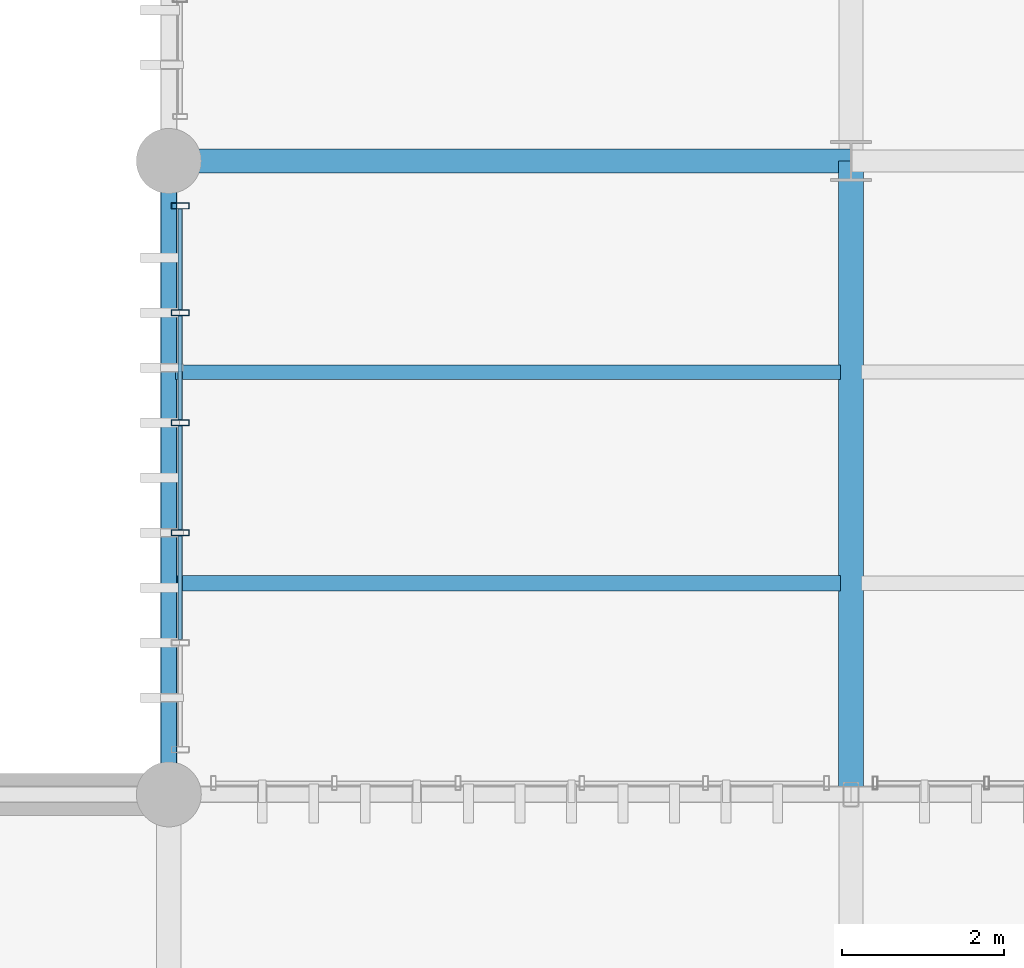
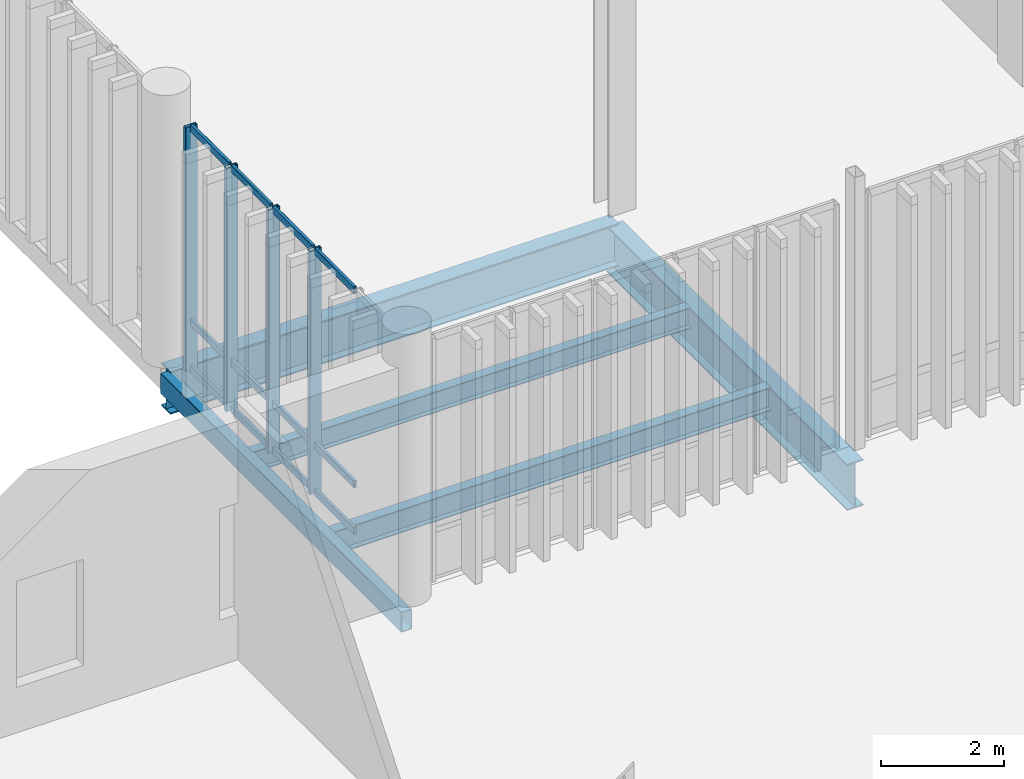
# One storey, part 57 of 112: 16 members, 5 beams, 1 element without a shape of its own.
"""IFC4 building model written with IfcOpenShell, lengths in metres."""

from ifc_helpers import new_model, si_unit, direction, frame, origin_with_axes, origin_2d_with_axis, place, context, subcontext, project, spatial, hollow_rectangle, i_section, extrude, material, material_profile, profile_set, type_object, element, aggregate, save


model = new_model("IFC4")

# Units and contexts
model_context = context("Model", 3, precision=1e-05, world=origin_with_axes(), true_north=direction((0.0, 1.0)))
body_context = subcontext(model_context, "Body", "Model", "MODEL_VIEW")
ifc_project = project(units=[si_unit("LENGTHUNIT", "METRE"), si_unit("AREAUNIT", "SQUARE_METRE"), si_unit("VOLUMEUNIT", "CUBIC_METRE"), si_unit("PLANEANGLEUNIT", "RADIAN"), si_unit("MASSUNIT", "GRAM", prefix="KILO"), si_unit("THERMODYNAMICTEMPERATUREUNIT", "KELVIN")], contexts=[model_context])

# Site, building, storey
site_placement = place(None, origin_with_axes())
site = spatial("IfcSite", under=ifc_project, at=site_placement, CompositionType="ELEMENT")
building_placement = place(site_placement, origin_with_axes())
building = spatial("IfcBuilding", under=site, at=building_placement, Name="Montbau Bow Law Courts", CompositionType="ELEMENT")
storey_placement = place(building_placement, origin_with_axes())
storey = spatial("IfcBuildingStorey", under=building, at=storey_placement, Name="L00", CompositionType="ELEMENT", Elevation=0.0)

# Beams
ifc_material_1 = material(Name="Steel CSA G40.21 Grade 350W (350 MPa)", Category="steel")
ifc_material_profile_1 = material_profile(ifc_material_1, i_section(OverallWidth=0.306, OverallDepth=0.919, WebThickness=0.0173, FlangeThickness=0.0279, at=origin_2d_with_axis()), Name="W920X253", Category="Main", Priority=0)
ifc_profile_set_1 = profile_set([ifc_material_profile_1], Name="Steel CSA G40.21 Grade 350W (350 MPa)")
beam_type_1 = type_object("IfcBeamType", Name="B-FLR-01", PredefinedType="BEAM", material=ifc_profile_set_1)
beam_1_placement = place(None, frame((147.0, 61.8, -0.8), z_axis=(0.0, 1.0, 0.0), x_axis=(-1.0, 0.0, 0.0)))
element("IfcBeam", 1, at=beam_1_placement, inside=storey, type_object=beam_type_1, Name="BM-L00-S0438:bm2_0441", PredefinedType="BEAM", context=body_context, shape_type="SweptSolid", body=[
    extrude(i_section(OverallWidth=0.306, OverallDepth=0.919, WebThickness=0.0173, FlangeThickness=0.0279, at=origin_2d_with_axis()), origin_with_axes(), (0.0, 0.0, 1.0), 7.8),
])
ifc_material_profile_2 = material_profile(ifc_material_1, i_section(OverallWidth=0.293, OverallDepth=0.846, WebThickness=0.0154, FlangeThickness=0.0244, at=origin_2d_with_axis()), Name="W840X210", Category="Main", Priority=0)
ifc_profile_set_2 = profile_set([ifc_material_profile_2], Name="Steel CSA G40.21 Grade 350W (350 MPa)")
beam_type_2 = type_object("IfcBeamType", Name="B-FLR-02", PredefinedType="BEAM", material=ifc_profile_set_2)
beam_2_placement = place(None, frame((138.6, 69.6, -0.683), z_axis=(1.0, 0.0, 0.0), x_axis=(0.0, 1.0, 0.0)))
element("IfcBeam", 2, at=beam_2_placement, inside=storey, type_object=beam_type_2, Name="BM-L00-S0403:bm2_0406", PredefinedType="BEAM", context=body_context, shape_type="SweptSolid", body=[
    extrude(i_section(OverallWidth=0.293, OverallDepth=0.846, WebThickness=0.0154, FlangeThickness=0.0244, at=origin_2d_with_axis()), origin_with_axes(), (0.0, 0.0, 1.0), 8.4),
])
ifc_material_profile_3 = material_profile(ifc_material_1, i_section(OverallWidth=0.191, OverallDepth=0.46, WebThickness=0.0099, FlangeThickness=0.016, at=origin_2d_with_axis()), Name="W460X82", Category="Main", Priority=0)
ifc_profile_set_3 = profile_set([ifc_material_profile_3], Name="Steel CSA G40.21 Grade 350W (350 MPa)")
beam_type_3 = type_object("IfcBeamType", Name="B-JST-01", PredefinedType="JOIST", material=ifc_profile_set_3)
beam_3_placement = place(None, frame((138.68, 64.4, -0.57), z_axis=(1.0, 0.0, 0.0), x_axis=(0.0, 1.0, 0.0)))
element("IfcBeam", 3, at=beam_3_placement, inside=storey, type_object=beam_type_3, Name="JST-L00-S0180:jst2_0180", PredefinedType="JOIST", context=body_context, shape_type="SweptSolid", body=[
    extrude(i_section(OverallWidth=0.191, OverallDepth=0.46, WebThickness=0.0099, FlangeThickness=0.016, at=origin_2d_with_axis()), origin_with_axes(), (0.0, 0.0, 1.0), 8.191),
])
ifc_material_profile_4 = material_profile(ifc_material_1, i_section(OverallWidth=0.179, OverallDepth=0.41, WebThickness=0.0088, FlangeThickness=0.0144, at=origin_2d_with_axis()), Name="W410X67", Category="Main", Priority=0)
ifc_profile_set_4 = profile_set([ifc_material_profile_4], Name="Steel CSA G40.21 Grade 350W (350 MPa)")
beam_type_4 = type_object("IfcBeamType", Name="B-JST-02", PredefinedType="JOIST", material=ifc_profile_set_4)
beam_4_placement = place(None, frame((138.68, 67.0, -0.545), z_axis=(1.0, 0.0, 0.0), x_axis=(0.0, 1.0, 0.0)))
element("IfcBeam", 4, at=beam_4_placement, inside=storey, type_object=beam_type_4, Name="JST-L00-S0181:jst2_0181", PredefinedType="JOIST", context=body_context, shape_type="SweptSolid", body=[
    extrude(i_section(OverallWidth=0.179, OverallDepth=0.41, WebThickness=0.0088, FlangeThickness=0.0144, at=origin_2d_with_axis()), origin_with_axes(), (0.0, 0.0, 1.0), 8.191),
])
ifc_material_2 = material(Name="Steel CSA G40.21 Grade 350WT (350 MPa)", Category="steel")
ifc_material_profile_5 = material_profile(ifc_material_2, hollow_rectangle(XDim=0.203, YDim=0.406, WallThickness=0.0127, InnerFilletRadius=0.0254, OuterFilletRadius=0.0127, at=origin_2d_with_axis()), Name="HSS406X203X13", Category="Main", Priority=0)
ifc_profile_set_5 = profile_set([ifc_material_profile_5], Name="Steel CSA G40.21 Grade 350WT (350 MPa)")
beam_type_5 = type_object("IfcBeamType", Name="B-SPN-01", PredefinedType="SPANDREL", material=ifc_profile_set_5)
beam_5_placement = place(None, frame((138.6, 61.8, -0.543), z_axis=(0.0, 1.0, 0.0), x_axis=(-1.0, 0.0, 0.0)))
element("IfcBeam", 5, at=beam_5_placement, inside=storey, type_object=beam_type_5, Name="SPN-L00-S0431:bm2_0434", PredefinedType="SPANDREL", context=body_context, shape_type="SweptSolid", body=[
    extrude(hollow_rectangle(XDim=0.203, YDim=0.406, WallThickness=0.0127, InnerFilletRadius=0.0254, OuterFilletRadius=0.0127, at=origin_2d_with_axis()), origin_with_axes(), (0.0, 0.0, 1.0), 7.8),
])

# Curtain wall, members
ifc_material_3 = material(Name="Thermally Broken Extruded Aluminium AA 6063-T6", Category="aluminium")
curtain_wall_type = type_object("IfcCurtainWallType", Name="CW-SLT-01", PredefinedType="NOTDEFINED", material=ifc_material_3)
curtain_wall_placement = place(None, frame((138.74, 62.315, 0.0), z_axis=(0.0, 0.0, 1.0), x_axis=(1.0, 0.0, 0.0)))
curtain_wall = element("IfcCurtainWall", 6, at=curtain_wall_placement, inside=storey, type_object=curtain_wall_type, Name="CW-L00-267:cw_0267", PredefinedType="NOTDEFINED")
ifc_material_profile_6 = material_profile(ifc_material_3, hollow_rectangle(XDim=0.075, YDim=0.22, WallThickness=0.005, InnerFilletRadius=0.01, OuterFilletRadius=0.005, at=origin_2d_with_axis()), Name="CWM-220X75", Category="Main", Priority=0)
ifc_profile_set_6 = profile_set([ifc_material_profile_6], Name="Thermally Broken Extruded Aluminium AA 6063-T6")
member_type_1 = type_object("IfcMemberType", Name="M-MUL-01", PredefinedType="MULLION", material=ifc_profile_set_6)
member_1_placement = place(None, frame((138.74, 65.023, 0.0), z_axis=(0.0, 0.0, 1.0), x_axis=(0.0, 1.0, 0.0)))
member_1 = element("IfcMember", 7, at=member_1_placement, type_object=member_type_1, Name="CW-L00-267-M03:cw_0267_M03", PredefinedType="MULLION", context=body_context, shape_type="SweptSolid", body=[
    extrude(hollow_rectangle(XDim=0.075, YDim=0.22, WallThickness=0.005, InnerFilletRadius=0.01, OuterFilletRadius=0.005, at=origin_2d_with_axis()), origin_with_axes(), (0.0, 0.0, 1.0), 4.82),
])
member_2_placement = place(None, frame((138.74, 66.377, 0.0), z_axis=(0.0, 0.0, 1.0), x_axis=(0.0, 1.0, 0.0)))
member_2 = element("IfcMember", 8, at=member_2_placement, type_object=member_type_1, Name="CW-L00-267-M04:cw_0267_M04", PredefinedType="MULLION", context=body_context, shape_type="SweptSolid", body=[
    extrude(hollow_rectangle(XDim=0.075, YDim=0.22, WallThickness=0.005, InnerFilletRadius=0.01, OuterFilletRadius=0.005, at=origin_2d_with_axis()), origin_with_axes(), (0.0, 0.0, 1.0), 4.82),
])
member_3_placement = place(None, frame((138.74, 67.731, 0.0), z_axis=(0.0, 0.0, 1.0), x_axis=(0.0, 1.0, 0.0)))
member_3 = element("IfcMember", 9, at=member_3_placement, type_object=member_type_1, Name="CW-L00-267-M05:cw_0267_M05", PredefinedType="MULLION", context=body_context, shape_type="SweptSolid", body=[
    extrude(hollow_rectangle(XDim=0.075, YDim=0.22, WallThickness=0.005, InnerFilletRadius=0.01, OuterFilletRadius=0.005, at=origin_2d_with_axis()), origin_with_axes(), (0.0, 0.0, 1.0), 4.82),
])
member_4_placement = place(None, frame((138.74, 69.047, 0.0), z_axis=(0.0, 0.0, 1.0), x_axis=(0.0, 1.0, 0.0)))
member_4 = element("IfcMember", 10, at=member_4_placement, type_object=member_type_1, Name="CW-L00-267-M06:cw_0267_M06", PredefinedType="MULLION", context=body_context, shape_type="SweptSolid", body=[
    extrude(hollow_rectangle(XDim=0.075, YDim=0.22, WallThickness=0.005, InnerFilletRadius=0.01, OuterFilletRadius=0.005, at=origin_2d_with_axis()), origin_with_axes(), (0.0, 0.0, 1.0), 4.82),
])
ifc_material_profile_7 = material_profile(ifc_material_3, hollow_rectangle(XDim=0.055, YDim=0.14, WallThickness=0.004, InnerFilletRadius=0.008, OuterFilletRadius=0.004, at=origin_2d_with_axis()), Name="CWT-140X55", Category="Main", Priority=0)
ifc_profile_set_7 = profile_set([ifc_material_profile_7], Name="Thermally Broken Extruded Aluminium AA 6063-T6")
member_type_2 = type_object("IfcMemberType", Name="M-TRN-02", PredefinedType="USERDEFINED", material=ifc_profile_set_7)
member_5_placement = place(None, frame((138.74, 63.709, 0.028), z_axis=(0.0, 1.0, 0.0), x_axis=(-1.0, 0.0, 0.0)))
member_5 = element("IfcMember", 11, at=member_5_placement, type_object=member_type_2, Name="CW-L00-267-T02-1:cw_0267_T02_1", ObjectType="TRANSOM", PredefinedType="USERDEFINED", context=body_context, shape_type="SweptSolid", body=[
    extrude(hollow_rectangle(XDim=0.055, YDim=0.14, WallThickness=0.004, InnerFilletRadius=0.008, OuterFilletRadius=0.004, at=origin_2d_with_axis()), origin_with_axes(), (0.0, 0.0, 1.0), 1.275),
])
member_6_placement = place(None, frame((138.74, 63.709, 0.95), z_axis=(0.0, 1.0, 0.0), x_axis=(-1.0, 0.0, 0.0)))
member_6 = element("IfcMember", 12, at=member_6_placement, type_object=member_type_2, Name="CW-L00-267-T02-2:cw_0267_T02_2", ObjectType="TRANSOM", PredefinedType="USERDEFINED", context=body_context, shape_type="SweptSolid", body=[
    extrude(hollow_rectangle(XDim=0.055, YDim=0.14, WallThickness=0.004, InnerFilletRadius=0.008, OuterFilletRadius=0.004, at=origin_2d_with_axis()), origin_with_axes(), (0.0, 0.0, 1.0), 1.275),
])
member_7_placement = place(None, frame((138.74, 63.709, 4.793), z_axis=(0.0, 1.0, 0.0), x_axis=(-1.0, 0.0, 0.0)))
member_7 = element("IfcMember", 13, at=member_7_placement, type_object=member_type_2, Name="CW-L00-267-T02-3:cw_0267_T02_3", ObjectType="TRANSOM", PredefinedType="USERDEFINED", context=body_context, shape_type="SweptSolid", body=[
    extrude(hollow_rectangle(XDim=0.055, YDim=0.14, WallThickness=0.004, InnerFilletRadius=0.008, OuterFilletRadius=0.004, at=origin_2d_with_axis()), origin_with_axes(), (0.0, 0.0, 1.0), 1.275),
])
member_8_placement = place(None, frame((138.74, 65.063, 0.028), z_axis=(0.0, 1.0, 0.0), x_axis=(-1.0, 0.0, 0.0)))
member_8 = element("IfcMember", 14, at=member_8_placement, type_object=member_type_2, Name="CW-L00-267-T03-1:cw_0267_T03_1", ObjectType="TRANSOM", PredefinedType="USERDEFINED", context=body_context, shape_type="SweptSolid", body=[
    extrude(hollow_rectangle(XDim=0.055, YDim=0.14, WallThickness=0.004, InnerFilletRadius=0.008, OuterFilletRadius=0.004, at=origin_2d_with_axis()), origin_with_axes(), (0.0, 0.0, 1.0), 1.275),
])
member_9_placement = place(None, frame((138.74, 65.063, 0.95), z_axis=(0.0, 1.0, 0.0), x_axis=(-1.0, 0.0, 0.0)))
member_9 = element("IfcMember", 15, at=member_9_placement, type_object=member_type_2, Name="CW-L00-267-T03-2:cw_0267_T03_2", ObjectType="TRANSOM", PredefinedType="USERDEFINED", context=body_context, shape_type="SweptSolid", body=[
    extrude(hollow_rectangle(XDim=0.055, YDim=0.14, WallThickness=0.004, InnerFilletRadius=0.008, OuterFilletRadius=0.004, at=origin_2d_with_axis()), origin_with_axes(), (0.0, 0.0, 1.0), 1.275),
])
member_10_placement = place(None, frame((138.74, 65.063, 4.793), z_axis=(0.0, 1.0, 0.0), x_axis=(-1.0, 0.0, 0.0)))
member_10 = element("IfcMember", 16, at=member_10_placement, type_object=member_type_2, Name="CW-L00-267-T03-3:cw_0267_T03_3", ObjectType="TRANSOM", PredefinedType="USERDEFINED", context=body_context, shape_type="SweptSolid", body=[
    extrude(hollow_rectangle(XDim=0.055, YDim=0.14, WallThickness=0.004, InnerFilletRadius=0.008, OuterFilletRadius=0.004, at=origin_2d_with_axis()), origin_with_axes(), (0.0, 0.0, 1.0), 1.275),
])
member_11_placement = place(None, frame((138.74, 66.416, 0.028), z_axis=(0.0, 1.0, 0.0), x_axis=(-1.0, 0.0, 0.0)))
member_11 = element("IfcMember", 17, at=member_11_placement, type_object=member_type_2, Name="CW-L00-267-T04-1:cw_0267_T04_1", ObjectType="TRANSOM", PredefinedType="USERDEFINED", context=body_context, shape_type="SweptSolid", body=[
    extrude(hollow_rectangle(XDim=0.055, YDim=0.14, WallThickness=0.004, InnerFilletRadius=0.008, OuterFilletRadius=0.004, at=origin_2d_with_axis()), origin_with_axes(), (0.0, 0.0, 1.0), 1.276),
])
member_12_placement = place(None, frame((138.74, 66.416, 0.95), z_axis=(0.0, 1.0, 0.0), x_axis=(-1.0, 0.0, 0.0)))
member_12 = element("IfcMember", 18, at=member_12_placement, type_object=member_type_2, Name="CW-L00-267-T04-2:cw_0267_T04_2", ObjectType="TRANSOM", PredefinedType="USERDEFINED", context=body_context, shape_type="SweptSolid", body=[
    extrude(hollow_rectangle(XDim=0.055, YDim=0.14, WallThickness=0.004, InnerFilletRadius=0.008, OuterFilletRadius=0.004, at=origin_2d_with_axis()), origin_with_axes(), (0.0, 0.0, 1.0), 1.276),
])
member_13_placement = place(None, frame((138.74, 66.416, 4.793), z_axis=(0.0, 1.0, 0.0), x_axis=(-1.0, 0.0, 0.0)))
member_13 = element("IfcMember", 19, at=member_13_placement, type_object=member_type_2, Name="CW-L00-267-T04-3:cw_0267_T04_3", ObjectType="TRANSOM", PredefinedType="USERDEFINED", context=body_context, shape_type="SweptSolid", body=[
    extrude(hollow_rectangle(XDim=0.055, YDim=0.14, WallThickness=0.004, InnerFilletRadius=0.008, OuterFilletRadius=0.004, at=origin_2d_with_axis()), origin_with_axes(), (0.0, 0.0, 1.0), 1.276),
])
member_14_placement = place(None, frame((138.74, 67.77, 0.028), z_axis=(0.0, 1.0, 0.0), x_axis=(-1.0, 0.0, 0.0)))
member_14 = element("IfcMember", 20, at=member_14_placement, type_object=member_type_2, Name="CW-L00-267-T05-1:cw_0267_T05_1", ObjectType="TRANSOM", PredefinedType="USERDEFINED", context=body_context, shape_type="SweptSolid", body=[
    extrude(hollow_rectangle(XDim=0.055, YDim=0.14, WallThickness=0.004, InnerFilletRadius=0.008, OuterFilletRadius=0.004, at=origin_2d_with_axis()), origin_with_axes(), (0.0, 0.0, 1.0), 1.238),
])
member_15_placement = place(None, frame((138.74, 67.77, 0.95), z_axis=(0.0, 1.0, 0.0), x_axis=(-1.0, 0.0, 0.0)))
member_15 = element("IfcMember", 21, at=member_15_placement, type_object=member_type_2, Name="CW-L00-267-T05-2:cw_0267_T05_2", ObjectType="TRANSOM", PredefinedType="USERDEFINED", context=body_context, shape_type="SweptSolid", body=[
    extrude(hollow_rectangle(XDim=0.055, YDim=0.14, WallThickness=0.004, InnerFilletRadius=0.008, OuterFilletRadius=0.004, at=origin_2d_with_axis()), origin_with_axes(), (0.0, 0.0, 1.0), 1.238),
])
member_16_placement = place(None, frame((138.74, 67.77, 4.793), z_axis=(0.0, 1.0, 0.0), x_axis=(-1.0, 0.0, 0.0)))
member_16 = element("IfcMember", 22, at=member_16_placement, type_object=member_type_2, Name="CW-L00-267-T05-3:cw_0267_T05_3", ObjectType="TRANSOM", PredefinedType="USERDEFINED", context=body_context, shape_type="SweptSolid", body=[
    extrude(hollow_rectangle(XDim=0.055, YDim=0.14, WallThickness=0.004, InnerFilletRadius=0.008, OuterFilletRadius=0.004, at=origin_2d_with_axis()), origin_with_axes(), (0.0, 0.0, 1.0), 1.238),
])
aggregate(curtain_wall, [member_1, member_2, member_3, member_4, member_5, member_6, member_7, member_8, member_9, member_10, member_11, member_12, member_13, member_14, member_15, member_16])

save(model, "model.ifc")
